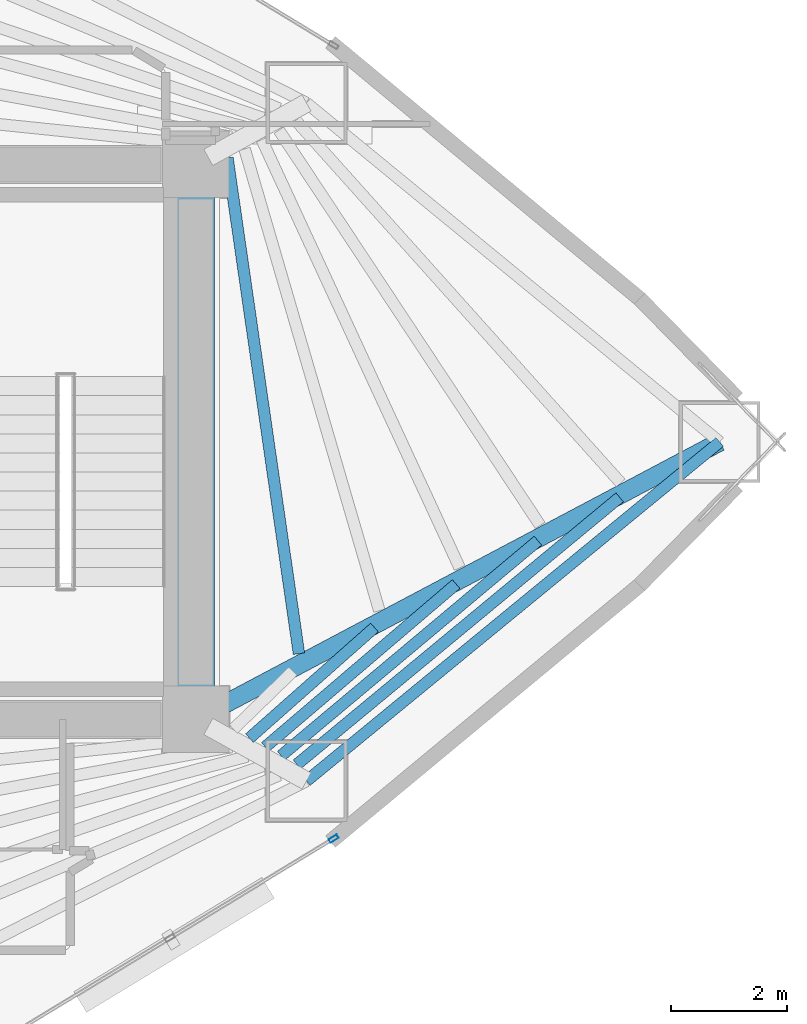
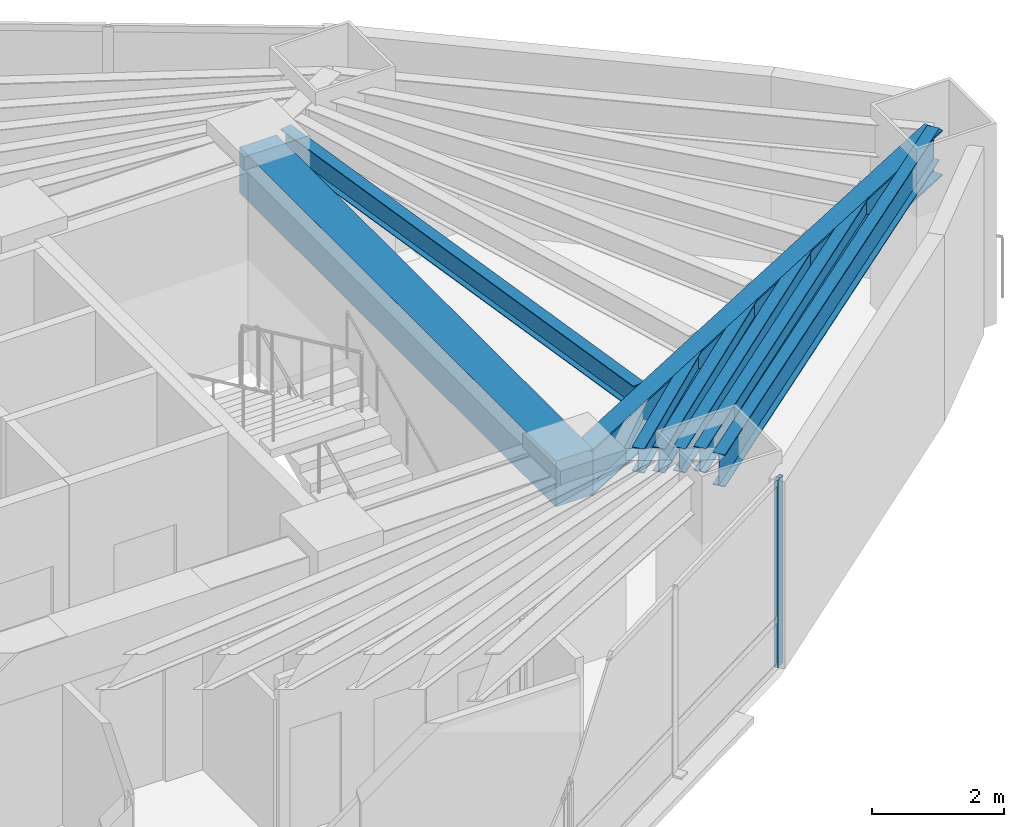
# One storey, part 6 of 17: 8 beams, 1 member, 1 element without a shape of its own.
"""IFC4 building model written with IfcOpenShell, lengths in metres."""

import ifcopenshell
import ifcopenshell.guid

model = None  # the IFC model being written
_history = None  # IfcOwnerHistory: only IFC2X3 demands one
_inside = {}  # id of a spatial element -> (the spatial element, [elements in it])
_under = {}  # id of a project, library or spatial element -> (it, [spatial elements below it])
_declared = {}  # id of a project -> (the project, [libraries it declares])
_typed = {}  # id of a type object -> (the type object, [elements of that type])
_made_of = {}  # id of a material, layer set ... -> (it, [elements and type objects made of it])


def new_model(schema):
    """Start an empty IFC model of exactly this schema.

    Asked for "IFC4X3", IfcOpenShell would pick the latest addendum, in which some entities
    have other attributes; the version numbers below select the first issue.
    IFC2X3 requires an IfcOwnerHistory on every rooted entity: one is made here for all.
    """
    global model, _history
    if schema == "IFC4X3":
        model = ifcopenshell.file(schema_version=(4, 3, 0, 0))
    else:
        model = ifcopenshell.file(schema=schema)
    _inside.clear()
    _under.clear()
    _declared.clear()
    _typed.clear()
    _made_of.clear()
    _history = None
    if model.schema == "IFC2X3":
        org = make("IfcOrganization", Name="unknown")
        user = make(
            "IfcPersonAndOrganization",
            ThePerson=make("IfcPerson", FamilyName="unknown"),
            TheOrganization=org,
        )
        app = make(
            "IfcApplication",
            ApplicationDeveloper=org,
            Version="unknown",
            ApplicationFullName="unknown",
            ApplicationIdentifier="unknown",
        )
        _history = make(
            "IfcOwnerHistory",
            OwningUser=user,
            OwningApplication=app,
            ChangeAction="ADDED",
            CreationDate=0,
        )
    return model


def make(cls, **values):
    """One entity of the class cls with the attributes given. An attribute that is None is left unset."""
    return model.create_entity(
        cls, **{name: value for name, value in values.items() if value is not None}
    )


def rooted(cls, **values):
    """An entity with a GlobalId (a new one), such as an element, a storey or a relation."""
    return make(cls, GlobalId=ifcopenshell.guid.new(), OwnerHistory=_history, **values)


def si_unit(unit_type, name, prefix=None):
    """IfcSIUnit, for example si_unit("LENGTHUNIT", "METRE", prefix="MILLI")."""
    return make("IfcSIUnit", UnitType=unit_type, Prefix=prefix, Name=name)


def assignment(units):
    """IfcUnitAssignment: the units of a project."""
    return None if units is None else make("IfcUnitAssignment", Units=units)


def point(xyz):
    """IfcCartesianPoint."""
    return None if xyz is None else make("IfcCartesianPoint", Coordinates=xyz)


def direction(xyz):
    """IfcDirection."""
    return None if xyz is None else make("IfcDirection", DirectionRatios=xyz)


def frame(location, z_axis=None, x_axis=None):
    """IfcAxis2Placement3D, a coordinate frame: its origin and axes. An axis left out is left unset."""
    return make(
        "IfcAxis2Placement3D",
        Location=point(location),
        Axis=direction(z_axis),
        RefDirection=direction(x_axis),
    )


def frame_2d(location, x_axis=None):
    """IfcAxis2Placement2D, a coordinate frame in the plane: its origin and x axis."""
    return make(
        "IfcAxis2Placement2D", Location=point(location), RefDirection=direction(x_axis)
    )


def origin():
    """The frame at (0, 0, 0) with its axes left unset."""
    return frame((0.0, 0.0, 0.0))


def origin_2d():
    """The frame at (0, 0) in the plane with its x axis left unset."""
    return frame_2d((0.0, 0.0))


def place(relative_to, where):
    """IfcLocalPlacement: puts the frame where relative to a parent placement (None: the world)."""
    return make(
        "IfcLocalPlacement", PlacementRelTo=relative_to, RelativePlacement=where
    )


def context(
    kind, dimensions, precision=None, world=None, true_north=None, identifier=None
):
    """IfcGeometricRepresentationContext, for example the 3D "Model" context."""
    return make(
        "IfcGeometricRepresentationContext",
        ContextIdentifier=identifier,
        ContextType=kind,
        CoordinateSpaceDimension=dimensions,
        Precision=precision,
        WorldCoordinateSystem=world,
        TrueNorth=true_north,
    )


def subcontext(parent, identifier, kind, view, scale=None):
    """IfcGeometricRepresentationSubContext, for example "Body" below "Model"."""
    return make(
        "IfcGeometricRepresentationSubContext",
        ContextIdentifier=identifier,
        ContextType=kind,
        ParentContext=parent,
        TargetScale=scale,
        TargetView=view,
    )


def project(units=None, contexts=None):
    """IfcProject with its units and contexts."""
    return rooted(
        "IfcProject",
        Name="project",
        RepresentationContexts=contexts,
        UnitsInContext=assignment(units),
    )


def spatial(cls, under=None, at=None, **own):
    """A site, building, storey or space (cls), placed at a placement, below another one or the project."""
    s = rooted(cls, ObjectPlacement=at, **own)
    if under is not None:
        _under.setdefault(under.id(), (under, []))[1].append(s)
    return s


def profile(cls, at=None, kind="AREA", **sizes):
    """A parametric profile (cls). Its sizes go by their IFC names, for example OverallWidth=200.0."""
    return make(cls, ProfileType=kind, Position=at, **sizes)


def rectangle(**sizes):
    """IfcRectangleProfileDef."""
    return profile("IfcRectangleProfileDef", **sizes)


def hollow_rectangle(**sizes):
    """IfcRectangleHollowProfileDef."""
    return profile("IfcRectangleHollowProfileDef", **sizes)


def i_section(**sizes):
    """IfcIShapeProfileDef."""
    return profile("IfcIShapeProfileDef", **sizes)


def extrude(swept, where, along, depth):
    """IfcExtrudedAreaSolid: the profile swept, set in the frame where, extruded along a direction by depth."""
    return make(
        "IfcExtrudedAreaSolid",
        SweptArea=swept,
        Position=where,
        ExtrudedDirection=direction(along),
        Depth=depth,
    )


def shape(context_of_items, identifier, shape_type, items):
    """IfcShapeRepresentation: the items that make up one representation, for example the "Body"."""
    return make(
        "IfcShapeRepresentation",
        ContextOfItems=context_of_items,
        RepresentationIdentifier=identifier,
        RepresentationType=shape_type,
        Items=items,
    )


def material(Name=None, Category=None):
    """IfcMaterial."""
    return make("IfcMaterial", Name=Name, Category=Category)


def layer(
    of_material, thickness, ventilated=None, Name=None, Category=None, Priority=None
):
    """IfcMaterialLayer: one layer of a wall or slab, of a material (None: an air gap)."""
    return make(
        "IfcMaterialLayer",
        Material=of_material,
        LayerThickness=thickness,
        IsVentilated=ventilated,
        Name=Name,
        Category=Category,
        Priority=Priority,
    )


def layer_set(layers, Name=None):
    """IfcMaterialLayerSet."""
    return make("IfcMaterialLayerSet", MaterialLayers=layers, LayerSetName=Name)


def material_profile(
    of_material, cross_section, Name=None, Category=None, Priority=None
):
    """IfcMaterialProfile: a cross section and its material."""
    return make(
        "IfcMaterialProfile",
        Name=Name,
        Material=of_material,
        Profile=cross_section,
        Priority=Priority,
        Category=Category,
    )


def profile_set(profiles, Name=None, composite=None):
    """IfcMaterialProfileSet."""
    return make(
        "IfcMaterialProfileSet",
        Name=Name,
        MaterialProfiles=profiles,
        CompositeProfile=composite,
    )


def made_of(thing, what):
    """Note that an element or type object is made of a material, layer set ...; save() writes the relation."""
    if what is not None:
        _made_of.setdefault(what.id(), (what, []))[1].append(thing)
    return thing


def type_object(cls, material=None, **own):
    """A type object (cls), such as IfcWallType, which elements share."""
    return made_of(rooted(cls, **own), material)


def element(
    cls,
    number,
    at=None,
    inside=None,
    cuts=None,
    type_object=None,
    material=None,
    context=None,
    identifier="Body",
    shape_type=None,
    held_by="IfcProductDefinitionShape",
    body=None,
    shapes=None,
    **own,
):
    """One element of the class cls, such as IfcWall. Its Tag is "e" and its number.

    at: its placement. inside: the storey or other place that contains it. cuts: it is an
    opening in that element (IfcRelVoidsElement). A single representation is given by context,
    identifier, shape_type and body (its items); several are given by shapes. held_by: the class
    of the entity that holds the representations. save() writes the other relations.
    """
    e = rooted(cls, Tag="e%d" % number, ObjectPlacement=at, **own)
    if body is not None:
        shapes = [shape(context, identifier, shape_type, body)]
    if shapes is not None:
        e.Representation = make(held_by, Representations=shapes)
    if inside is not None:
        _inside.setdefault(inside.id(), (inside, []))[1].append(e)
    if cuts is not None:
        rooted(
            "IfcRelVoidsElement", RelatingBuildingElement=cuts, RelatedOpeningElement=e
        )
    if type_object is not None:
        _typed.setdefault(type_object.id(), (type_object, []))[1].append(e)
    return made_of(e, material)


def aggregate(whole, parts):
    """IfcRelAggregates: a whole, such as a stair, and the parts it consists of."""
    return rooted("IfcRelAggregates", RelatingObject=whole, RelatedObjects=parts)


def save(model, path):
    """Write the relations noted so far, then the file.

    IfcRelAggregates (storeys below a building ...), IfcRelContainedInSpatialStructure (elements
    in a storey), IfcRelDefinesByType, IfcRelAssociatesMaterial and IfcRelDeclares: one each for
    every whole, place, type object, material and project.
    """
    for whole, parts in _under.values():
        aggregate(whole, parts)
    for where, things in _inside.values():
        rooted(
            "IfcRelContainedInSpatialStructure",
            RelatedElements=things,
            RelatingStructure=where,
        )
    for kind, things in _typed.values():
        rooted("IfcRelDefinesByType", RelatedObjects=things, RelatingType=kind)
    for what, things in _made_of.values():
        rooted("IfcRelAssociatesMaterial", RelatedObjects=things, RelatingMaterial=what)
    for by, libraries in _declared.values():
        rooted("IfcRelDeclares", RelatingContext=by, RelatedDefinitions=libraries)
    model.write(path)


model = new_model("IFC4")

# Units and contexts
model_context = context("Model", 3, precision=1e-05, world=origin(), true_north=direction((0.0, 1.0)))
body_context = subcontext(model_context, "Body", "Model", "MODEL_VIEW")
ifc_project = project(units=[si_unit("LENGTHUNIT", "METRE"), si_unit("AREAUNIT", "SQUARE_METRE"), si_unit("VOLUMEUNIT", "CUBIC_METRE"), si_unit("PLANEANGLEUNIT", "RADIAN"), si_unit("MASSUNIT", "GRAM", prefix="KILO")], contexts=[model_context])

# Site, building, storey
site_placement = place(None, origin())
site = spatial("IfcSite", under=ifc_project, at=site_placement, CompositionType="ELEMENT")
building_placement = place(site_placement, origin())
building = spatial("IfcBuilding", under=site, at=building_placement, Name="Menara Vayukalpa", CompositionType="ELEMENT")
storey_placement = place(building_placement, frame((0.0, 0.0, 38.760009765625)))
storey = spatial("IfcBuildingStorey", under=building, at=storey_placement, Name="L08", CompositionType="ELEMENT", Elevation=38.760009765625)

# Beams
ifc_material_1 = material(Name="Concrete C60/75", Category="concrete")
ifc_material_profile_1 = material_profile(ifc_material_1, rectangle(XDim=0.64990234375, YDim=0.85009765625, at=origin_2d()), Name="RC 650x850")
ifc_profile_set_1 = profile_set([ifc_material_profile_1], Name="Concrete C60/75")
beam_type_1 = type_object("IfcBeamType", Name="BM-CB1", PredefinedType="BEAM", material=ifc_profile_set_1)
beam_1_placement = place(storey_placement, frame((33.39990234375, 17.199951171875, 3.044921875), z_axis=(0.0, 1.0, 0.0), x_axis=(-1.0, 0.0, 0.0)))
element("IfcBeam", 1, at=beam_1_placement, inside=storey, type_object=beam_type_1, Name="L08 Core Tie Beam CBR8", PredefinedType="BEAM", context=body_context, shape_type="SweptSolid", body=[
    extrude(rectangle(XDim=0.64990234375, YDim=0.85009765625, at=origin_2d()), origin(), (0.0, 0.0, 1.0), 9.60009765625),
])
ifc_material_2 = material(Name="Steel S355", Category="steel")
ifc_material_profile_2 = material_profile(ifc_material_2, i_section(OverallWidth=0.320068359375, OverallDepth=0.85009765625, WebThickness=0.01611328125, FlangeThickness=0.030029296875, at=origin_2d()), Name="WF 850x320x16x30")
ifc_profile_set_2 = profile_set([ifc_material_profile_2], Name="Steel S355")
beam_type_2 = type_object("IfcBeamType", Name="BM-PG2", PredefinedType="BEAM", material=ifc_profile_set_2)
beam_2_placement = place(storey_placement, frame((33.620849609375, 17.31689453125, 3.044921875), z_axis=(0.883746967157, 0.467965060704, 0.0), x_axis=(-0.467965060704, 0.883746967157, 0.0)))
element("IfcBeam", 2, at=beam_2_placement, inside=storey, type_object=beam_type_2, Name="L08 Primary Radial Girder RG01", PredefinedType="BEAM", context=body_context, shape_type="SweptSolid", body=[
    extrude(i_section(OverallWidth=0.320068359375, OverallDepth=0.85009765625, WebThickness=0.01611328125, FlangeThickness=0.030029296875, at=origin_2d()), origin(), (0.0, 0.0, 1.0), 10.00732421875),
])
ifc_material_3 = material(Name="Steel S355", Category="steel")
ifc_material_profile_3 = material_profile(ifc_material_3, i_section(OverallWidth=0.199951171875, OverallDepth=0.449951171875, WebThickness=0.009033203125, FlangeThickness=0.013916015625, at=origin_2d()), Name="WF 450x200x9x14")
ifc_profile_set_3 = profile_set([ifc_material_profile_3], Name="Steel S355")
beam_type_3 = type_object("IfcBeamType", Name="BM-SJ1", PredefinedType="JOIST", material=ifc_profile_set_3)
beam_3_placement = place(storey_placement, frame((35.18701171875, 18.338134765625, 3.244873046875), z_axis=(-0.142766602183, 0.989756382804, 0.0), x_axis=(-0.989756382804, -0.142766602183, 0.0)))
element("IfcBeam", 3, at=beam_3_placement, inside=storey, type_object=beam_type_3, Name="L08 Secondary Floor Joist SJ01-1", PredefinedType="JOIST", context=body_context, shape_type="SweptSolid", body=[
    extrude(i_section(OverallWidth=0.199951171875, OverallDepth=0.449951171875, WebThickness=0.009033203125, FlangeThickness=0.013916015625, at=origin_2d()), origin(), (0.0, 0.0, 1.0), 8.6630859375),
])
beam_4_placement = place(storey_placement, frame((34.331298828125, 16.877685546875, 3.244873046875), z_axis=(0.748970728252, 0.662603084978, 0.0), x_axis=(-0.662603084978, 0.748970728252, 0.0)))
element("IfcBeam", 4, at=beam_4_placement, inside=storey, type_object=beam_type_3, Name="L08 Secondary Floor Joist SJ09-2", PredefinedType="JOIST", context=body_context, shape_type="SweptSolid", body=[
    extrude(i_section(OverallWidth=0.199951171875, OverallDepth=0.449951171875, WebThickness=0.009033203125, FlangeThickness=0.013916015625, at=origin_2d()), origin(), (0.0, 0.0, 1.0), 2.88623046875),
])
beam_5_placement = place(storey_placement, frame((34.605224609375, 16.724609375, 3.244873046875), z_axis=(0.760660716004, 0.649149655418, 0.0), x_axis=(-0.649149655418, 0.760660716004, 0.0)))
element("IfcBeam", 5, at=beam_5_placement, inside=storey, type_object=beam_type_3, Name="L08 Secondary Floor Joist SJ09-3", PredefinedType="JOIST", context=body_context, shape_type="SweptSolid", body=[
    extrude(i_section(OverallWidth=0.199951171875, OverallDepth=0.449951171875, WebThickness=0.009033203125, FlangeThickness=0.013916015625, at=origin_2d()), origin(), (0.0, 0.0, 1.0), 4.33935546875),
])
beam_6_placement = place(storey_placement, frame((34.878173828125, 16.572509765625, 3.244873046875), z_axis=(0.766661190174, 0.642051882235, 0.0), x_axis=(-0.642051882235, 0.766661190174, 0.0)))
element("IfcBeam", 6, at=beam_6_placement, inside=storey, type_object=beam_type_3, Name="L08 Secondary Floor Joist SJ09-4", PredefinedType="JOIST", context=body_context, shape_type="SweptSolid", body=[
    extrude(i_section(OverallWidth=0.199951171875, OverallDepth=0.449951171875, WebThickness=0.009033203125, FlangeThickness=0.013916015625, at=origin_2d()), origin(), (0.0, 0.0, 1.0), 5.79345703125),
])
beam_7_placement = place(storey_placement, frame((35.15087890625, 16.421142578125, 3.244873046875), z_axis=(0.770362369683, 0.637606320056, 0.0), x_axis=(-0.637606320056, 0.770362369683, 0.0)))
element("IfcBeam", 7, at=beam_7_placement, inside=storey, type_object=beam_type_3, Name="L08 Secondary Floor Joist SJ09-5", PredefinedType="JOIST", context=body_context, shape_type="SweptSolid", body=[
    extrude(i_section(OverallWidth=0.199951171875, OverallDepth=0.449951171875, WebThickness=0.009033203125, FlangeThickness=0.013916015625, at=origin_2d()), origin(), (0.0, 0.0, 1.0), 7.24755859375),
])
ifc_material_4 = material(Name="Steel S355", Category="steel")
ifc_material_profile_4 = material_profile(ifc_material_4, i_section(OverallWidth=0.199951171875, OverallDepth=0.60009765625, WebThickness=0.010986328125, FlangeThickness=0.01708984375, at=origin_2d()), Name="WF 600x200x11x17")
ifc_profile_set_4 = profile_set([ifc_material_profile_4], Name="Steel S355")
beam_type_4 = type_object("IfcBeamType", Name="BM-SP1", PredefinedType="SPANDREL", material=ifc_profile_set_4)
beam_8_placement = place(storey_placement, frame((35.318115234375, 16.13671875, 3.169921875), z_axis=(0.773110561587, 0.63427128231, 0.0), x_axis=(-0.63427128231, 0.773110561587, 0.0)))
element("IfcBeam", 8, at=beam_8_placement, inside=storey, type_object=beam_type_4, Name="L08 Perimeter Spandrel Beam SP09", PredefinedType="SPANDREL", context=body_context, shape_type="SweptSolid", body=[
    extrude(i_section(OverallWidth=0.199951171875, OverallDepth=0.60009765625, WebThickness=0.010986328125, FlangeThickness=0.01708984375, at=origin_2d()), origin(), (0.0, 0.0, 1.0), 9.244140625),
])

# Curtain wall, member
ifc_material_5 = material(Name="Anodised Terracotta Aluminium Alloy 6063-T6", Category="masonry")
ifc_layer = layer(ifc_material_5, 0.1650390625)
ifc_layer_set = layer_set([ifc_layer], Name="Anodised Terracotta Aluminium Alloy 6063-T6")
curtain_wall_type = type_object("IfcCurtainWallType", Name="CW-CW2", PredefinedType="USERDEFINED", material=ifc_layer_set)
curtain_wall_placement = place(storey_placement, origin())
curtain_wall = element("IfcCurtainWall", 9, at=curtain_wall_placement, inside=storey, type_object=curtain_wall_type, Name="L08 Low Rise Terracotta Ribbon Curtain Wall CW2 17", ObjectType="UNITISED", PredefinedType="USERDEFINED")
ifc_material_6 = material(Name="Anodised Terracotta Aluminium Alloy 6063-T6", Category="masonry")
ifc_material_profile_5 = material_profile(ifc_material_6, hollow_rectangle(XDim=0.070068359375, YDim=0.1650390625, WallThickness=0.00390625, at=origin_2d()), Name="ALU 70x165x4")
ifc_profile_set_5 = profile_set([ifc_material_profile_5], Name="Anodised Terracotta Aluminium Alloy 6063-T6")
member_type = type_object("IfcMemberType", Name="CWM-CW2", PredefinedType="MULLION", material=ifc_profile_set_5)
member_placement = place(storey_placement, frame((35.787353515625, 15.138427734375, 0.0), z_axis=(0.0, 0.0, 1.0), x_axis=(-0.519181964377, 0.854663727945, 0.0)))
member = element("IfcMember", 10, at=member_placement, type_object=member_type, Name="CW2 mullion 3", PredefinedType="MULLION", context=body_context, shape_type="SweptSolid", body=[
    extrude(hollow_rectangle(XDim=0.070068359375, YDim=0.1650390625, WallThickness=0.00390625, at=origin_2d()), origin(), (0.0, 0.0, 1.0), 3.469970703125),
])
aggregate(curtain_wall, [member])

save(model, "model.ifc")
